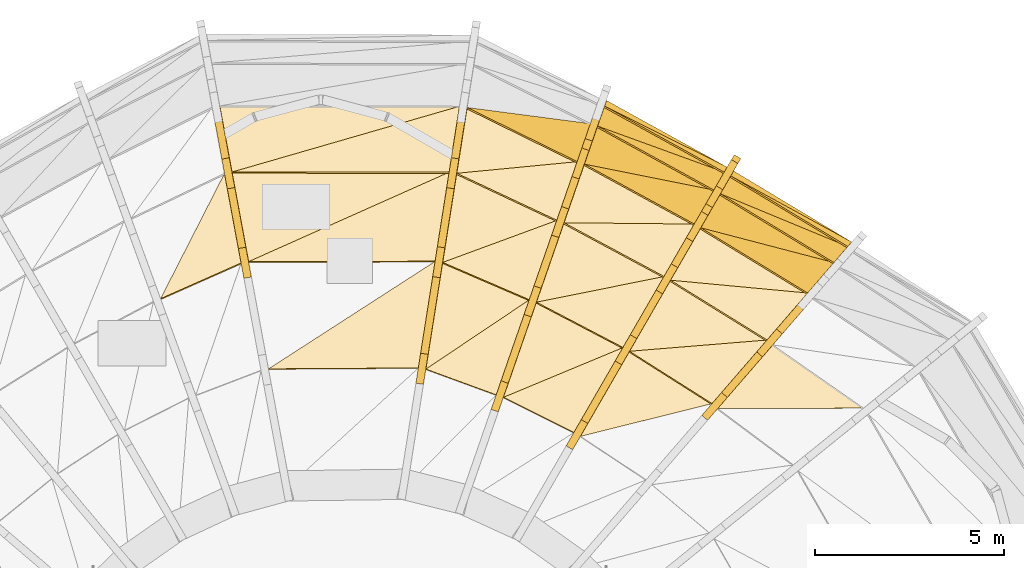
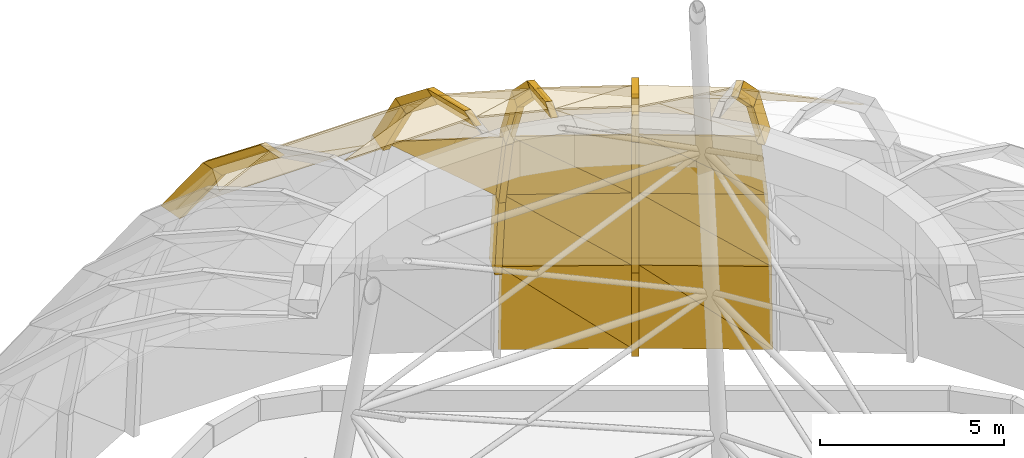
# One storey, part 26 of 27: 37 coverings, 18 shading devices.
"""IFC4 building model written with IfcOpenShell, lengths in metres."""

from ifc_helpers import new_model, si_unit, direction, frame, origin, place, context, subcontext, project, spatial, polyline, outline, extrude, material, layer, layer_set, type_object, element, save


model = new_model("IFC4")

# Units and contexts
model_context = context("Model", 3, precision=1e-05, world=origin(), true_north=direction((0.0, 1.0)))
body_context = subcontext(model_context, "Body", "Model", "MODEL_VIEW")
ifc_project = project(units=[si_unit("LENGTHUNIT", "METRE"), si_unit("AREAUNIT", "SQUARE_METRE"), si_unit("VOLUMEUNIT", "CUBIC_METRE"), si_unit("PLANEANGLEUNIT", "RADIAN"), si_unit("MASSUNIT", "GRAM", prefix="KILO")], contexts=[model_context])

# Site, building, storey
site_placement = place(None, origin())
site = spatial("IfcSite", under=ifc_project, at=site_placement, CompositionType="ELEMENT")
building_placement = place(site_placement, origin())
building = spatial("IfcBuilding", under=site, at=building_placement, Name="Ayvan Gate Tower", CompositionType="ELEMENT")
storey_placement = place(building_placement, frame((0.0, 0.0, 267.699951171875)))
storey = spatial("IfcBuildingStorey", under=building, at=storey_placement, Name="Roof", CompositionType="ELEMENT", Elevation=267.699951171875)

# Shading devices
ifc_material_1 = material(Name="Bronze anodised aluminium", Category="aluminium")
ifc_layer_1 = layer(ifc_material_1, 0.199951171875)
ifc_layer_set_1 = layer_set([ifc_layer_1], Name="Bronze anodised aluminium")
shading_device_type = type_object("IfcShadingDeviceType", Name="Crown frame rib 800 x 200", PredefinedType="USERDEFINED", material=ifc_layer_set_1)
shading_device_1_placement = place(storey_placement, frame((-3.361328125, 18.675537109375, 8.30712890625), z_axis=(0.98323625935, 0.182335091546, 0.000610483192), x_axis=(-0.182335125468, 0.983236442582, -9.159e-08)))
element("IfcShadingDevice", 1, at=shading_device_1_placement, inside=storey, type_object=shading_device_type, Name="CROWN FRAME rib FD04.3.1", ObjectType="FIN", PredefinedType="USERDEFINED", context=body_context, shape_type="SweptSolid", body=[
    extrude(outline(polyline([(0.0, 0.0), (0.8000102265386663, 1.3552527156068805e-20), (-0.9745686345162743, 2.379883166718715), (-1.774623376466432, 2.3798830201693932), (0.0, 0.0)])), origin(), (0.0, 0.0, -1.0), 0.199951171875),
])
shading_device_2_placement = place(storey_placement, frame((-3.03759765625, 16.9306640625, 10.68701171875), z_axis=(0.983203454567, 0.182509907134, 0.001049154219), x_axis=(-0.18251000755, 0.983203995692, -2.9216e-08)))
element("IfcShadingDevice", 2, at=shading_device_2_placement, inside=storey, type_object=shading_device_type, Name="CROWN FRAME rib FD05.3.1", ObjectType="FIN", PredefinedType="USERDEFINED", context=body_context, shape_type="SweptSolid", body=[
    extrude(outline(polyline([(0.0, 0.0), (0.8000547506429478, 0.0), (-1.6037274058730104, 1.8659677769795775), (-2.4035421164779476, 1.865967730238264), (0.0, 0.0)])), origin(), (0.0, 0.0, -1.0), 0.199951171875),
])
shading_device_3_placement = place(storey_placement, frame((11.97705078125, 13.695068359375, 8.30712890625), z_axis=(0.756373210995, -0.654139995064, 0.000657682678), x_axis=(0.654140136467, 0.756373374639, 1.41548e-07)))
element("IfcShadingDevice", 3, at=shading_device_3_placement, inside=storey, type_object=shading_device_type, Name="CROWN FRAME rib FD04.2.2", ObjectType="FIN", PredefinedType="USERDEFINED", context=body_context, shape_type="SweptSolid", body=[
    extrude(outline(polyline([(0.0, 0.0), (0.8000175557077801, 0.0), (-0.8383164618689711, 2.3798834458673306), (-1.6383090582900883, 2.3798836723458052), (0.0, 0.0)])), origin(), (0.0, 0.0, -1.0), 0.199951171875),
])
shading_device_4_placement = place(storey_placement, frame((10.9052734375, 12.4560546875, 10.68701171875), z_axis=(0.756307842274, -0.654215439836, 0.000778456598), x_axis=(0.654215638115, 0.756308071388, -8.9837e-08)))
element("IfcShadingDevice", 4, at=shading_device_4_placement, inside=storey, type_object=shading_device_type, Name="CROWN FRAME rib FD05.2.2", ObjectType="FIN", PredefinedType="USERDEFINED", context=body_context, shape_type="SweptSolid", body=[
    extrude(outline(polyline([(0.0, 0.0), (0.7999926096231967, 0.0), (-1.4190196949376255, 1.865967234777182), (-2.2188525839460476, 1.8659670910530035), (0.0, 0.0)])), origin(), (0.0, 0.0, -1.0), 0.199951171875),
])
shading_device_5_placement = place(storey_placement, frame((9.933349609375, 17.005615234375, 0.0), z_axis=(0.865951615636, -0.500127501663, 0.000530526215), x_axis=(0.500127572078, 0.865951737482, -7.0109e-08)))
element("IfcShadingDevice", 5, at=shading_device_5_placement, inside=storey, type_object=shading_device_type, Name="CROWN FRAME rib FD01.2.3", ObjectType="FIN", PredefinedType="USERDEFINED", context=body_context, shape_type="SweptSolid", body=[
    extrude(outline(polyline([(0.0, 0.0), (0.7999058031911799, -5.421010862427522e-20), (0.6470030917183056, 2.870117636769435), (-0.15278061001484727, 2.8701175246173274), (0.0, 0.0)])), origin(), (0.0, 0.0, -1.0), 0.199951171875),
])
shading_device_6_placement = place(storey_placement, frame((9.85693359375, 16.873046875, 2.8701171875), z_axis=(0.865923705022, -0.500175842302, 0.000513672014), x_axis=(0.500175908272, 0.865923819273, 3.9198e-08)))
element("IfcShadingDevice", 6, at=shading_device_6_placement, inside=storey, type_object=shading_device_type, Name="CROWN FRAME rib FD02.2.3", ObjectType="FIN", PredefinedType="USERDEFINED", context=body_context, shape_type="SweptSolid", body=[
    extrude(outline(polyline([(0.0, 0.0), (0.8001172150279499, 8.131516293641283e-20), (0.25433405052480895, 2.7768558251297293), (-0.5455717573207012, 2.7768558878476064), (0.0, 0.0)])), origin(), (0.0, 0.0, -1.0), 0.199951171875),
])
shading_device_7_placement = place(storey_placement, frame((9.584228515625, 16.400390625, 5.64697265625), z_axis=(0.866093935, -0.499880854661, 0.00065337576), x_axis=(0.499880961361, 0.866094119867, 0.0)))
element("IfcShadingDevice", 7, at=shading_device_7_placement, inside=storey, type_object=shading_device_type, Name="CROWN FRAME rib FD03.2.3", ObjectType="FIN", PredefinedType="USERDEFINED", context=body_context, shape_type="SweptSolid", body=[
    extrude(outline(polyline([(0.0, 0.0), (0.7999951481672026, 0.0), (-0.2358149882702718, 2.660156817810379), (-1.0358101364374743, 2.660156817810379), (0.0, 0.0)])), origin(), (0.0, 0.0, -1.0), 0.199951171875),
])
shading_device_8_placement = place(storey_placement, frame((9.066162109375, 15.50341796875, 8.30712890625), z_axis=(0.866027887209, -0.499995311202, 0.000622376395), x_axis=(0.499995408084, 0.866028054912, -8.2232e-08)))
element("IfcShadingDevice", 8, at=shading_device_8_placement, inside=storey, type_object=shading_device_type, Name="CROWN FRAME rib FD04.2.3", ObjectType="FIN", PredefinedType="USERDEFINED", context=body_context, shape_type="SweptSolid", body=[
    extrude(outline(polyline([(0.0, 0.0), (0.8001172103736167, -2.710505431213761e-20), (-0.7972467126872557, 2.3798832078674823), (-1.5972418538694455, 2.379883076286842), (0.0, 0.0)])), origin(), (0.0, 0.0, -1.0), 0.199951171875),
])
shading_device_9_placement = place(storey_placement, frame((8.267578125, 14.1201171875, 10.68701171875), z_axis=(0.865989700065, -0.50006136513, 0.000685919191), x_axis=(0.500061482743, 0.865989903796, 3.831e-08)))
element("IfcShadingDevice", 9, at=shading_device_9_placement, inside=storey, type_object=shading_device_type, Name="CROWN FRAME rib FD05.2.3", ObjectType="FIN", PredefinedType="USERDEFINED", context=body_context, shape_type="SweptSolid", body=[
    extrude(outline(polyline([(0.0, 0.0), (0.7997837074713674, 2.710505431213761e-20), (-1.363826396672314, 1.8659672880774996), (-2.1639436127829734, 1.8659673493689204), (0.0, 0.0)])), origin(), (0.0, 0.0, -1.0), 0.199951171875),
])
shading_device_10_placement = place(storey_placement, frame((7.185791015625, 12.24609375, 12.552978515625), z_axis=(0.866092946205, -0.499880283962, 0.001646280767), x_axis=(0.499880961361, 0.866094119867, 0.0)))
element("IfcShadingDevice", 10, at=shading_device_10_placement, inside=storey, type_object=shading_device_type, Name="CROWN FRAME rib FD06.2.3", ObjectType="FIN", PredefinedType="USERDEFINED", context=body_context, shape_type="SweptSolid", body=[
    extrude(outline(polyline([(0.0, 0.0), (0.7999951481672026, 1.0842021724855044e-19), (-1.7902007492469905, 1.1201187053964923), (-2.590195897414193, 1.1201187053964923), (0.0, 0.0)])), origin(), (0.0, 0.0, -1.0), 0.199951171875),
])
shading_device_11_placement = place(storey_placement, frame((6.592529296875, 18.686767578125, 2.8701171875), z_axis=(0.944704387216, -0.327922747234, 0.000540945109), x_axis=(0.327922795187, 0.944704525445, 5.0922e-08)))
element("IfcShadingDevice", 11, at=shading_device_11_placement, inside=storey, type_object=shading_device_type, Name="CROWN FRAME rib FD02.2.4", ObjectType="FIN", PredefinedType="USERDEFINED", context=body_context, shape_type="SweptSolid", body=[
    extrude(outline(polyline([(0.0, 0.0), (0.7998167940146237, 0.0), (0.24033611400741683, 2.776855862795692), (-0.5597913800366582, 2.7768559442678273), (0.0, 0.0)])), origin(), (0.0, 0.0, -1.0), 0.199951171875),
])
shading_device_12_placement = place(storey_placement, frame((6.408935546875, 18.157958984375, 5.64697265625), z_axis=(0.944704381325, -0.327922745189, 0.000552352023), x_axis=(0.327922795157, 0.944704525456, 1.07253e-07)))
element("IfcShadingDevice", 12, at=shading_device_12_placement, inside=storey, type_object=shading_device_type, Name="CROWN FRAME rib FD03.2.4", ObjectType="FIN", PredefinedType="USERDEFINED", context=body_context, shape_type="SweptSolid", body=[
    extrude(outline(polyline([(0.0, 0.0), (0.8000474347679075, 2.710505431213761e-20), (-0.2623000186325035, 2.6601566839299076), (-1.0621968719232875, 2.6601568555295465), (0.0, 0.0)])), origin(), (0.0, 0.0, -1.0), 0.199951171875),
])
shading_device_13_placement = place(storey_placement, frame((6.060546875, 17.154541015625, 8.30712890625), z_axis=(0.94468792758, -0.327970009107, 0.000626586428), x_axis=(0.327970073542, 0.944688113009, -9.0333e-08)))
element("IfcShadingDevice", 13, at=shading_device_13_placement, inside=storey, type_object=shading_device_type, Name="CROWN FRAME rib FD04.2.4", ObjectType="FIN", PredefinedType="USERDEFINED", context=body_context, shape_type="SweptSolid", body=[
    extrude(outline(polyline([(0.0, 0.0), (0.7998968600637366, 2.710505431213761e-20), (-0.8383647134251286, 2.3798832039518625), (-1.6381815026701294, 2.3798830594452407), (0.0, 0.0)])), origin(), (0.0, 0.0, -1.0), 0.199951171875),
])
shading_device_14_placement = place(storey_placement, frame((5.5234375, 15.60693359375, 10.68701171875), z_axis=(0.944704203804, -0.327922683569, 0.000825176968), x_axis=(0.327922795152, 0.944704525457, 7.7678e-08)))
element("IfcShadingDevice", 14, at=shading_device_14_placement, inside=storey, type_object=shading_device_type, Name="CROWN FRAME rib FD05.2.4", ObjectType="FIN", PredefinedType="USERDEFINED", context=body_context, shape_type="SweptSolid", body=[
    extrude(outline(polyline([(0.0, 0.0), (0.7998167940146252, 2.710505431213761e-20), (-1.4190602858577666, 1.8659675423894035), (-2.219187779901837, 1.8659676666699048), (0.0, 0.0)])), origin(), (0.0, 0.0, -1.0), 0.199951171875),
])
shading_device_15_placement = place(storey_placement, frame((4.795654296875, 13.510498046875, 12.552978515625), z_axis=(0.944656705823, -0.328058781702, 0.001069528432), x_axis=(0.32805896928, 0.944657246135, 5.353e-08)))
element("IfcShadingDevice", 15, at=shading_device_15_placement, inside=storey, type_object=shading_device_type, Name="CROWN FRAME rib FD06.2.4", ObjectType="FIN", PredefinedType="USERDEFINED", context=body_context, shape_type="SweptSolid", body=[
    extrude(outline(polyline([(0.0, 0.0), (0.8001274965842946, -5.421010862427522e-20), (-1.8562995124829746, 1.1201179275137991), (-2.656196379856787, 1.120118013162683), (0.0, 0.0)])), origin(), (0.0, 0.0, -1.0), 0.199951171875),
])
shading_device_16_placement = place(storey_placement, frame((3.031982421875, 18.6328125, 8.30712890625), z_axis=(0.987838178529, -0.155484569651, 0.00053069932), x_axis=(0.155484591588, 0.98783831763, -7.999e-08)))
element("IfcShadingDevice", 16, at=shading_device_16_placement, inside=storey, type_object=shading_device_type, Name="CROWN FRAME rib FD04.2.5", ObjectType="FIN", PredefinedType="USERDEFINED", context=body_context, shape_type="SweptSolid", body=[
    extrude(outline(polyline([(0.0, 0.0), (0.8000316835642663, 1.3552527156068805e-20), (-0.9576439077323547, 2.379883071035066), (-1.7576376311912527, 2.3798829430485706), (0.0, 0.0)])), origin(), (0.0, 0.0, -1.0), 0.199951171875),
])
shading_device_17_placement = place(storey_placement, frame((2.759033203125, 16.896484375, 10.68701171875), z_axis=(0.987861385918, -0.155335633436, 0.000850409834), x_axis=(0.155335689605, 0.987861743127, 0.0)))
element("IfcShadingDevice", 17, at=shading_device_17_placement, inside=storey, type_object=shading_device_type, Name="CROWN FRAME rib FD05.2.5", ObjectType="FIN", PredefinedType="USERDEFINED", context=body_context, shape_type="SweptSolid", body=[
    extrude(outline(polyline([(0.0, 0.0), (0.7999937325470513, 0.0), (-1.5804657479095736, 1.865967471606054), (-2.380459480456625, 1.865967471606054), (0.0, 0.0)])), origin(), (0.0, 0.0, -1.0), 0.199951171875),
])
shading_device_18_placement = place(storey_placement, frame((2.38916015625, 14.544921875, 12.552978515625), z_axis=(0.987860629888, -0.155335514554, 0.001501278026), x_axis=(0.155335689605, 0.987861743127, 0.0)))
element("IfcShadingDevice", 18, at=shading_device_18_placement, inside=storey, type_object=shading_device_type, Name="CROWN FRAME rib FD06.2.5", ObjectType="FIN", PredefinedType="USERDEFINED", context=body_context, shape_type="SweptSolid", body=[
    extrude(outline(polyline([(0.0, 0.0), (0.7999937325470513, 2.710505431213761e-20), (-2.0498004211007483, 1.1201184497821923), (-2.8497941536477995, 1.1201184497821923), (0.0, 0.0)])), origin(), (0.0, 0.0, -1.0), 0.199951171875),
])

# Coverings
ifc_material_2 = material(Name="Pale metal cladding")
ifc_layer_2 = layer(ifc_material_2, 0.0400390625)
ifc_layer_set_2 = layer_set([ifc_layer_2], Name="Pale metal cladding")
covering_type = type_object("IfcCoveringType", Name="Dome cladding panel 40", PredefinedType="CLADDING", material=ifc_layer_set_2)
covering_1_placement = place(storey_placement, frame((13.57177734375, 11.099609375, 10.702392578125), z_axis=(0.368969318756, 0.529874043607, 0.763606665587), x_axis=(-0.820642805863, 0.571441497606, 0.0)))
element("IfcCovering", 19, at=covering_1_placement, inside=storey, type_object=covering_type, Name="Dome cladding panel 19.5A", PredefinedType="CLADDING", context=body_context, shape_type="SweptSolid", body=[
    extrude(outline(polyline([(0.0, 0.0), (2.9214427036619117, 0.0), (3.15373109944246, 2.8899174177509344), (0.0, 0.0)])), origin(), (0.0, 0.0, -1.0), 0.0400390625),
])
covering_2_placement = place(storey_placement, frame((13.26123046875, 15.490966796875, 0.0009765625), z_axis=(0.515321989661, 0.855342062393, 0.053227843029), x_axis=(-0.856556322152, 0.516053550498, 0.0)))
element("IfcCovering", 20, at=covering_2_placement, inside=storey, type_object=covering_type, Name="Dome cladding panel 20.1A", PredefinedType="CLADDING", context=body_context, shape_type="SweptSolid", body=[
    extrude(outline(polyline([(0.0, 0.0), (3.6394940531100746, 0.0), (3.6365363018681056, 2.8741916601093043), (0.0, 0.0)])), origin(), (0.0, 0.0, -1.0), 0.0400390625),
])
covering_3_placement = place(storey_placement, frame((13.26123046875, 15.490966796875, 0.0009765625), z_axis=(0.515676721312, 0.855094112789, 0.053773389058), x_axis=(-0.689037309047, 0.376595074124, 0.619196040755)))
element("IfcCovering", 21, at=covering_3_placement, inside=storey, type_object=covering_type, Name="Dome cladding panel 20.1B", PredefinedType="CLADDING", context=body_context, shape_type="SweptSolid", body=[
    extrude(outline(polyline([(0.0, 0.0), (4.635231814466936, 4.440892098500626e-16), (1.8031345505108876, 2.2384975096596738), (0.0, 0.0)])), origin(), (0.0, 0.0, -1.0), 0.0400390625),
])
covering_4_placement = place(storey_placement, frame((13.15869140625, 15.3720703125, 2.8740234375), z_axis=(0.506731543828, 0.84026123729, 0.192832039862), x_axis=(-0.85633308577, 0.51642390167, 0.0)))
element("IfcCovering", 22, at=covering_4_placement, inside=storey, type_object=covering_type, Name="Dome cladding panel 20.2A", PredefinedType="CLADDING", context=body_context, shape_type="SweptSolid", body=[
    extrude(outline(polyline([(0.0, 0.0), (3.6099371204024995, -1.1102230246251565e-16), (3.5995815823797037, 2.8299689510380386), (0.0, 0.0)])), origin(), (0.0, 0.0, -1.0), 0.0400390625),
])
covering_5_placement = place(storey_placement, frame((13.15869140625, 15.3720703125, 2.8740234375), z_axis=(0.507940946506, 0.839052303349, 0.194903122364), x_axis=(-0.734741318856, 0.303920574563, 0.606454844751)))
element("IfcCovering", 23, at=covering_5_placement, inside=storey, type_object=covering_type, Name="Dome cladding panel 20.2B", PredefinedType="CLADDING", context=body_context, shape_type="SweptSolid", body=[
    extrude(outline(polyline([(0.0, 0.0), (4.578833020764845, 4.440892098500626e-16), (1.8244460708479133, 2.166944831541703), (0.0, 0.0)])), origin(), (0.0, 0.0, -1.0), 0.0400390625),
])
covering_6_placement = place(storey_placement, frame((12.7919921875, 14.94775390625, 5.654296875), z_axis=(0.482599274644, 0.797191161235, 0.362745354983), x_axis=(-0.855457847801, 0.517872446299, 0.0)))
element("IfcCovering", 24, at=covering_6_placement, inside=storey, type_object=covering_type, Name="Dome cladding panel 20.3A", PredefinedType="CLADDING", context=body_context, shape_type="SweptSolid", body=[
    extrude(outline(polyline([(0.0, 0.0), (3.504610873237997, -1.1102230246251565e-16), (3.4830685703774322, 2.8545870188941014), (0.0, 0.0)])), origin(), (0.0, 0.0, -1.0), 0.0400390625),
])
covering_7_placement = place(storey_placement, frame((12.7919921875, 14.94775390625, 5.654296875), z_axis=(0.484651069555, 0.794233882954, 0.366477666369), x_axis=(-0.780717803544, 0.203839937596, 0.590702117035)))
element("IfcCovering", 25, at=covering_7_placement, inside=storey, type_object=covering_type, Name="Dome cladding panel 20.3B", PredefinedType="CLADDING", context=body_context, shape_type="SweptSolid", body=[
    extrude(outline(polyline([(0.0, 0.0), (4.503380254252333, 2.220446049250313e-16), (1.9500429446947067, 2.0981190092324558), (0.0, 0.0)])), origin(), (0.0, 0.0, -1.0), 0.0400390625),
])
covering_8_placement = place(storey_placement, frame((12.095947265625, 14.142578125, 8.318359375), z_axis=(0.432539005842, 0.708833954404, 0.557193353792), x_axis=(-0.853623134799, 0.520891105449, 0.0)))
element("IfcCovering", 26, at=covering_8_placement, inside=storey, type_object=covering_type, Name="Dome cladding panel 20.4A", PredefinedType="CLADDING", context=body_context, shape_type="SweptSolid", body=[
    extrude(outline(polyline([(0.0, 0.0), (3.304789674590738, 1.1102230246251565e-16), (3.2661387697045297, 2.866006931862215), (0.0, 0.0)])), origin(), (0.0, 0.0, -1.0), 0.0400390625),
])
covering_9_placement = place(storey_placement, frame((12.09619140625, 14.142578125, 8.318359375), z_axis=(0.435268516524, 0.703234908199, 0.562140536177), x_axis=(-0.833054229718, 0.077816153514, 0.547690876866)))
element("IfcCovering", 27, at=covering_9_placement, inside=storey, type_object=covering_type, Name="Dome cladding panel 20.4B", PredefinedType="CLADDING", context=body_context, shape_type="SweptSolid", body=[
    extrude(outline(polyline([(0.0, 0.0), (4.345303003985945, 2.220446049250313e-16), (2.0998734758448867, 1.9844987126085525), (0.0, 0.0)])), origin(), (0.0, 0.0, -1.0), 0.0400390625),
])
covering_10_placement = place(storey_placement, frame((11.0224609375, 12.900634765625, 10.7021484375), z_axis=(0.34379387203, 0.555445300678, 0.757156715291), x_axis=(-0.850301605778, 0.526295714604, 0.0)))
element("IfcCovering", 28, at=covering_10_placement, inside=storey, type_object=covering_type, Name="Dome cladding panel 20.5A", PredefinedType="CLADDING", context=body_context, shape_type="SweptSolid", body=[
    extrude(outline(polyline([(0.0, 0.0), (2.9966963319950826, 0.0), (2.9302511439821584, 2.8565091139954566), (0.0, 0.0)])), origin(), (0.0, 0.0, -1.0), 0.0400390625),
])
covering_11_placement = place(storey_placement, frame((11.0224609375, 12.900390625, 10.7021484375), z_axis=(0.346885841687, 0.547059449518, 0.761837365539), x_axis=(-0.887027026602, -0.072546735563, 0.455982483476)))
element("IfcCovering", 29, at=covering_11_placement, inside=storey, type_object=covering_type, Name="Dome cladding panel 20.5B", PredefinedType="CLADDING", context=body_context, shape_type="SweptSolid", body=[
    extrude(outline(polyline([(0.0, 0.0), (4.092189644328309, -1.1102230246251565e-16), (2.260042982083406, 1.8157856537981156), (0.0, 0.0)])), origin(), (0.0, 0.0, -1.0), 0.0400390625),
])
covering_12_placement = place(storey_placement, frame((9.568359375, 11.2177734375, 12.5712890625), z_axis=(0.212707231843, 0.335451861035, 0.917729634724), x_axis=(-0.844529458634, 0.535509097495, 0.0)))
element("IfcCovering", 30, at=covering_12_placement, inside=storey, type_object=covering_type, Name="Dome cladding panel 20.6A", PredefinedType="CLADDING", context=body_context, shape_type="SweptSolid", body=[
    extrude(outline(polyline([(0.0, 0.0), (2.579503621341554, 0.0), (2.4720747127151212, 2.8199931848580215), (0.0, 0.0)])), origin(), (0.0, 0.0, -1.0), 0.0400390625),
])
covering_13_placement = place(storey_placement, frame((9.969970703125, 17.469482421875, 0.0009765625), z_axis=(0.483107302389, 0.873907080833, 0.053793572548), x_axis=(-0.875174265312, 0.483807818598, 0.0)))
element("IfcCovering", 31, at=covering_13_placement, inside=storey, type_object=covering_type, Name="Dome cladding panel 21.1A", PredefinedType="CLADDING", context=body_context, shape_type="SweptSolid", body=[
    extrude(outline(polyline([(0.0, 0.0), (3.6393421516069377, 0.0), (3.612728485613742, 2.8742789205152324), (0.0, 0.0)])), origin(), (0.0, 0.0, -1.0), 0.0400390625),
])
covering_14_placement = place(storey_placement, frame((9.969970703125, 17.469482421875, 0.0009765625), z_axis=(0.48267826029, 0.874183209904, 0.053154610007), x_axis=(-0.701067924599, 0.349291215356, 0.62169076877)))
element("IfcCovering", 32, at=covering_14_placement, inside=storey, type_object=covering_type, Name="Dome cladding panel 21.1B", PredefinedType="CLADDING", context=body_context, shape_type="SweptSolid", body=[
    extrude(outline(polyline([(0.0, 0.0), (4.616631501829355, 0.0), (1.7916784910489103, 2.247400712157805), (0.0, 0.0)])), origin(), (0.0, 0.0, -1.0), 0.0400390625),
])
covering_15_placement = place(storey_placement, frame((9.893310546875, 17.336669921875, 2.8740234375), z_axis=(0.474103064959, 0.858652591693, 0.19478709037), x_axis=(-0.875420797156, 0.483361591261, 0.0)))
element("IfcCovering", 33, at=covering_15_placement, inside=storey, type_object=covering_type, Name="Dome cladding panel 21.2A", PredefinedType="CLADDING", context=body_context, shape_type="SweptSolid", body=[
    extrude(outline(polyline([(0.0, 0.0), (3.609871115999144, 0.0), (3.5151051478308006, 2.83108331769842), (0.0, 0.0)])), origin(), (0.0, 0.0, -1.0), 0.0400390625),
])
covering_16_placement = place(storey_placement, frame((9.893310546875, 17.336669921875, 2.8740234375), z_axis=(0.472879895726, 0.859769200411, 0.192825118289), x_axis=(-0.740845517414, 0.269486884328, 0.615243641579)))
element("IfcCovering", 34, at=covering_16_placement, inside=storey, type_object=covering_type, Name="Dome cladding panel 21.2B", PredefinedType="CLADDING", context=body_context, shape_type="SweptSolid", body=[
    extrude(outline(polyline([(0.0, 0.0), (4.5134240828950345, 0.0), (1.7832812157537798, 2.197439329434786), (0.0, 0.0)])), origin(), (0.0, 0.0, -1.0), 0.0400390625),
])
covering_17_placement = place(storey_placement, frame((9.619873046875, 16.86328125, 5.654296875), z_axis=(0.448421954394, 0.815300858972, 0.366336266534), x_axis=(-0.876212967064, 0.48192409812, 0.0)))
element("IfcCovering", 35, at=covering_17_placement, inside=storey, type_object=covering_type, Name="Dome cladding panel 21.3A", PredefinedType="CLADDING", context=body_context, shape_type="SweptSolid", body=[
    extrude(outline(polyline([(0.0, 0.0), (3.5046283228823385, -1.1102230246251565e-16), (3.32620203787998, 2.858899723970783), (0.0, 0.0)])), origin(), (0.0, 0.0, -1.0), 0.0400390625),
])
covering_18_placement = place(storey_placement, frame((9.619873046875, 16.86328125, 5.654296875), z_axis=(0.446178613192, 0.818143286402, 0.362720564686), x_axis=(-0.779570344123, 0.156248051121, 0.606511850737)))
element("IfcCovering", 36, at=covering_18_placement, inside=storey, type_object=covering_type, Name="Dome cladding panel 21.3B", PredefinedType="CLADDING", context=body_context, shape_type="SweptSolid", body=[
    extrude(outline(polyline([(0.0, 0.0), (4.385992205706383, 0.0), (1.8769449427963083, 2.150862338914932), (0.0, 0.0)])), origin(), (0.0, 0.0, -1.0), 0.0400390625),
])
covering_19_placement = place(storey_placement, frame((9.100830078125, 15.964599609375, 8.318359375), z_axis=(0.396110625721, 0.726335237783, 0.561723681667), x_axis=(-0.877932272639, 0.478784841718, 0.0)))
element("IfcCovering", 37, at=covering_19_placement, inside=storey, type_object=covering_type, Name="Dome cladding panel 21.4A", PredefinedType="CLADDING", context=body_context, shape_type="SweptSolid", body=[
    extrude(outline(polyline([(0.0, 0.0), (3.30477336113676, 1.1102230246251565e-16), (3.0353480408626003, 2.876599974098511), (0.0, 0.0)])), origin(), (0.0, 0.0, -1.0), 0.0400390625),
])
covering_20_placement = place(storey_placement, frame((9.100830078125, 15.964599609375, 8.318359375), z_axis=(0.392996423732, 0.731532162131, 0.557148549941), x_axis=(-0.822231187338, 0.008290033272, 0.569093269964)))
element("IfcCovering", 38, at=covering_20_placement, inside=storey, type_object=covering_type, Name="Dome cladding panel 21.4B", PredefinedType="CLADDING", context=body_context, shape_type="SweptSolid", body=[
    extrude(outline(polyline([(0.0, 0.0), (4.181885357126852, 2.220446049250313e-16), (1.999526316121532, 2.053696580149248), (0.0, 0.0)])), origin(), (0.0, 0.0, -1.0), 0.0400390625),
])
covering_21_placement = place(storey_placement, frame((8.300537109375, 14.577880859375, 10.7021484375), z_axis=(0.306846249621, 0.571170338638, 0.761321103973), x_axis=(-0.880925874945, 0.47325426871, 0.0)))
element("IfcCovering", 39, at=covering_21_placement, inside=storey, type_object=covering_type, Name="Dome cladding panel 21.5A", PredefinedType="CLADDING", context=body_context, shape_type="SweptSolid", body=[
    extrude(outline(polyline([(0.0, 0.0), (2.996724983573631, 1.1102230246251565e-16), (2.6458165075167615, 2.877912808070917), (0.0, 0.0)])), origin(), (0.0, 0.0, -1.0), 0.0400390625),
])
covering_22_placement = place(storey_placement, frame((8.300537109375, 14.577880859375, 10.7021484375), z_axis=(0.302894295536, 0.578949856025, 0.757015264007), x_axis=(-0.861449541772, -0.173426517145, 0.477313241102)))
element("IfcCovering", 40, at=covering_22_placement, inside=storey, type_object=covering_type, Name="Dome cladding panel 21.5B", PredefinedType="CLADDING", context=body_context, shape_type="SweptSolid", body=[
    extrude(outline(polyline([(0.0, 0.0), (3.909312870864498, -1.1102230246251565e-16), (2.147729001456993, 1.8843918654872256), (0.0, 0.0)])), origin(), (0.0, 0.0, -1.0), 0.0400390625),
])
covering_23_placement = place(storey_placement, frame((7.216064453125, 12.699462890625, 12.5712890625), z_axis=(0.181816893602, 0.347523429543, 0.919875036687), x_axis=(-0.886061133138, 0.463568407403, 0.0)))
element("IfcCovering", 41, at=covering_23_placement, inside=storey, type_object=covering_type, Name="Dome cladding panel 21.6A", PredefinedType="CLADDING", context=body_context, shape_type="SweptSolid", body=[
    extrude(outline(polyline([(0.0, 0.0), (2.5795562470454376, 0.0), (2.187960536745652, 2.8559004085250175), (0.0, 0.0)])), origin(), (0.0, 0.0, -1.0), 0.0400390625),
])
covering_24_placement = place(storey_placement, frame((7.216064453125, 12.69970703125, 12.5712890625), z_axis=(0.177618892939, 0.355657578429, 0.91758335631), x_axis=(-0.877368087301, -0.365089358008, 0.311343861438)))
element("IfcCovering", 42, at=covering_24_placement, inside=storey, type_object=covering_type, Name="Dome cladding panel 21.6B", PredefinedType="CLADDING", context=body_context, shape_type="SweptSolid", body=[
    extrude(outline(polyline([(0.0, 0.0), (3.5976851521179123, 0.0), (2.3038200665765025, 1.6296267327880232), (0.0, 0.0)])), origin(), (0.0, 0.0, -1.0), 0.0400390625),
])
covering_25_placement = place(storey_placement, frame((6.359375, 18.617919921875, 5.654296875), z_axis=(0.410151535491, 0.834308586962, 0.368381459437), x_axis=(-0.7705315303, 0.100908439538, 0.629363684719)))
element("IfcCovering", 43, at=covering_25_placement, inside=storey, type_object=covering_type, Name="Dome cladding panel 22.3B", PredefinedType="CLADDING", context=body_context, shape_type="SweptSolid", body=[
    extrude(outline(polyline([(0.0, 0.0), (4.226739347357708, -4.440892098500626e-16), (1.841208736427348, 2.194181828829901), (0.0, 0.0)])), origin(), (0.0, 0.0, -1.0), 0.0400390625),
])
covering_26_placement = place(storey_placement, frame((6.01025390625, 17.612548828125, 8.318603515625), z_axis=(0.360527288388, 0.73336556494, 0.576363620024), x_axis=(-0.897419884193, 0.441177460275, 0.0)))
element("IfcCovering", 44, at=covering_26_placement, inside=storey, type_object=covering_type, Name="Dome cladding panel 22.4A", PredefinedType="CLADDING", context=body_context, shape_type="SweptSolid", body=[
    extrude(outline(polyline([(0.0, 0.0), (3.241171114528375, -1.1102230246251565e-16), (2.7204191444099752, 2.912264033232682), (0.0, 0.0)])), origin(), (0.0, 0.0, -1.0), 0.0400390625),
])
covering_27_placement = place(storey_placement, frame((6.010009765625, 17.61279296875, 8.318359375), z_axis=(0.350648645477, 0.746947124446, 0.564903107361), x_axis=(-0.798421768744, -0.076821982506, 0.597177580121)))
element("IfcCovering", 45, at=covering_27_placement, inside=storey, type_object=covering_type, Name="Dome cladding panel 22.4B", PredefinedType="CLADDING", context=body_context, shape_type="SweptSolid", body=[
    extrude(outline(polyline([(0.0, 0.0), (3.9852179514466943, 0.0), (1.9691376736166508, 2.114279204971199), (0.0, 0.0)])), origin(), (0.0, 0.0, -1.0), 0.0400390625),
])
covering_28_placement = place(storey_placement, frame((5.470947265625, 16.061767578125, 10.702392578125), z_axis=(0.268708227474, 0.572398725662, 0.774697093933), x_axis=(-0.905217919128, 0.42494766606, 0.0)))
element("IfcCovering", 46, at=covering_28_placement, inside=storey, type_object=covering_type, Name="Dome cladding panel 22.5A", PredefinedType="CLADDING", context=body_context, shape_type="SweptSolid", body=[
    extrude(outline(polyline([(0.0, 0.0), (2.921430513161132, 1.1102230246251565e-16), (2.2568514800361816, 2.950926522545606), (0.0, 0.0)])), origin(), (0.0, 0.0, -1.0), 0.0400390625),
])
covering_29_placement = place(storey_placement, frame((5.470703125, 16.06201171875, 10.702392578125), z_axis=(0.255188364967, 0.591963698526, 0.764498448666), x_axis=(-0.811410791086, -0.298882018131, 0.502276883151)))
element("IfcCovering", 47, at=covering_29_placement, inside=storey, type_object=covering_type, Name="Dome cladding panel 22.5B", PredefinedType="CLADDING", context=body_context, shape_type="SweptSolid", body=[
    extrude(outline(polyline([(0.0, 0.0), (3.7150162778115257, 0.0), (2.154078950934574, 1.940388481536696), (0.0, 0.0)])), origin(), (0.0, 0.0, -1.0), 0.0400390625),
])
covering_30_placement = place(storey_placement, frame((4.740966796875, 13.9609375, 12.571533203125), z_axis=(0.148843222931, 0.34527351887, 0.92662392164), x_axis=(-0.918306267352, 0.395870685125, 0.0)))
element("IfcCovering", 48, at=covering_30_placement, inside=storey, type_object=covering_type, Name="Dome cladding panel 22.6A", PredefinedType="CLADDING", context=body_context, shape_type="SweptSolid", body=[
    extrude(outline(polyline([(0.0, 0.0), (2.49030777168567, -1.1102230246251565e-16), (1.7825496415092723, 2.9791182272470045), (0.0, 0.0)])), origin(), (0.0, 0.0, -1.0), 0.0400390625),
])
covering_31_placement = place(storey_placement, frame((4.74072265625, 13.96142578125, 12.5712890625), z_axis=(0.133541970776, 0.364915658119, 0.921413644625), x_axis=(-0.786284676178, -0.526932392326, 0.322643242492)))
element("IfcCovering", 49, at=covering_31_placement, inside=storey, type_object=covering_type, Name="Dome cladding panel 22.6B", PredefinedType="CLADDING", context=body_context, shape_type="SweptSolid", body=[
    extrude(outline(polyline([(0.0, 0.0), (3.471689593895193, 2.220446049250313e-16), (2.368674067840663, 1.6433344382385604), (0.0, 0.0)])), origin(), (0.0, 0.0, -1.0), 0.0400390625),
])
covering_32_placement = place(storey_placement, frame((2.896728515625, 19.0751953125, 8.31884765625), z_axis=(0.001244140981, 0.806545494174, 0.591170718102), x_axis=(-0.999998810264, 0.001542553408, 0.0)))
element("IfcCovering", 50, at=covering_32_placement, inside=storey, type_object=covering_type, Name="Dome cladding panel 23.4A", PredefinedType="CLADDING", context=body_context, shape_type="SweptSolid", body=[
    extrude(outline(polyline([(0.0, 0.0), (6.330818078878541, 0.0), (6.004640575752784, 2.9507076764535993), (0.0, 0.0)])), origin(), (0.0, 0.0, -1.0), 0.0400390625),
])
covering_33_placement = place(storey_placement, frame((2.896728515625, 19.0751953125, 8.31884765625), z_axis=(0.000171975346, 0.807836991888, 0.589405942421), x_axis=(-0.897892752888, -0.259340152596, 0.355712369144)))
element("IfcCovering", 51, at=covering_33_placement, inside=storey, type_object=covering_type, Name="Dome cladding panel 23.4B", PredefinedType="CLADDING", context=body_context, shape_type="SweptSolid", body=[
    extrude(outline(polyline([(0.0, 0.0), (6.690469657345359, 4.440892098500626e-16), (1.5421516919336398, 2.524892142166025), (0.0, 0.0)])), origin(), (0.0, 0.0, -1.0), 0.0400390625),
])
covering_34_placement = place(storey_placement, frame((2.62353515625, 17.335205078125, 10.70263671875), z_axis=(0.000131924903, 0.619704041596, 0.784835577319), x_axis=(-0.99999997734, 0.000212883718, 0.0)))
element("IfcCovering", 52, at=covering_34_placement, inside=storey, type_object=covering_type, Name="Dome cladding panel 23.5A", PredefinedType="CLADDING", context=body_context, shape_type="SweptSolid", body=[
    extrude(outline(polyline([(0.0, 0.0), (5.734130989308912, 0.0), (5.295395473264759, 3.0110611345811975), (0.0, 0.0)])), origin(), (0.0, 0.0, -1.0), 0.0400390625),
])
covering_35_placement = place(storey_placement, frame((2.62353515625, 17.335205078125, 10.70263671875), z_axis=(-0.001324957313, 0.62171310931, 0.783243930203), x_axis=(-0.869375937124, -0.387756416728, 0.30631754967)))
element("IfcCovering", 53, at=covering_35_placement, inside=storey, type_object=covering_type, Name="Dome cladding panel 23.5B", PredefinedType="CLADDING", context=body_context, shape_type="SweptSolid", body=[
    extrude(outline(polyline([(0.0, 0.0), (6.091609177750844, 2.220446049250313e-16), (1.8049705524409605, 2.427048753954433), (0.0, 0.0)])), origin(), (0.0, 0.0, -1.0), 0.0400390625),
])
covering_36_placement = place(storey_placement, frame((2.253662109375, 14.978515625, 12.571533203125), z_axis=(-0.002304842881, 0.370007153261, 0.929026046048), x_axis=(-0.821696939858, -0.53017410719, 0.209116128249)))
element("IfcCovering", 54, at=covering_36_placement, inside=storey, type_object=covering_type, Name="Dome cladding panel 23.6B", PredefinedType="CLADDING", context=body_context, shape_type="SweptSolid", body=[
    extrude(outline(polyline([(0.0, 0.0), (5.356436143309153, 5.551115123125783e-17), (2.090678875809639, 2.237214522791561), (0.0, 0.0)])), origin(), (0.0, 0.0, -1.0), 0.0400390625),
])
covering_37_placement = place(storey_placement, frame((-3.3125, 17.299072265625, 10.70263671875), z_axis=(-0.252730983578, 0.570232877432, 0.781640272399), x_axis=(-0.406220980054, -0.795751167524, 0.449182139837)))
element("IfcCovering", 55, at=covering_37_placement, inside=storey, type_object=covering_type, Name="Dome cladding panel 24.5B", PredefinedType="CLADDING", context=body_context, shape_type="SweptSolid", body=[
    extrude(outline(polyline([(0.0, 0.0), (4.154142899701929, 3.3306690738754696e-16), (2.5409178438417697, 1.674475597193918), (0.0, 0.0)])), origin(), (0.0, 0.0, -1.0), 0.0400390625),
])

save(model, "model.ifc")
